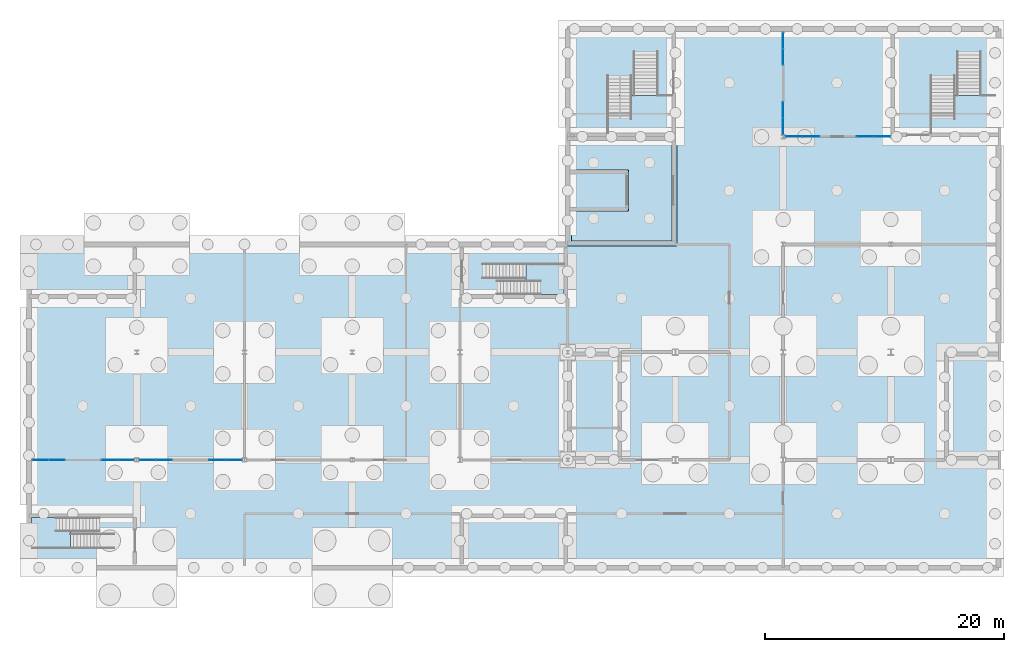
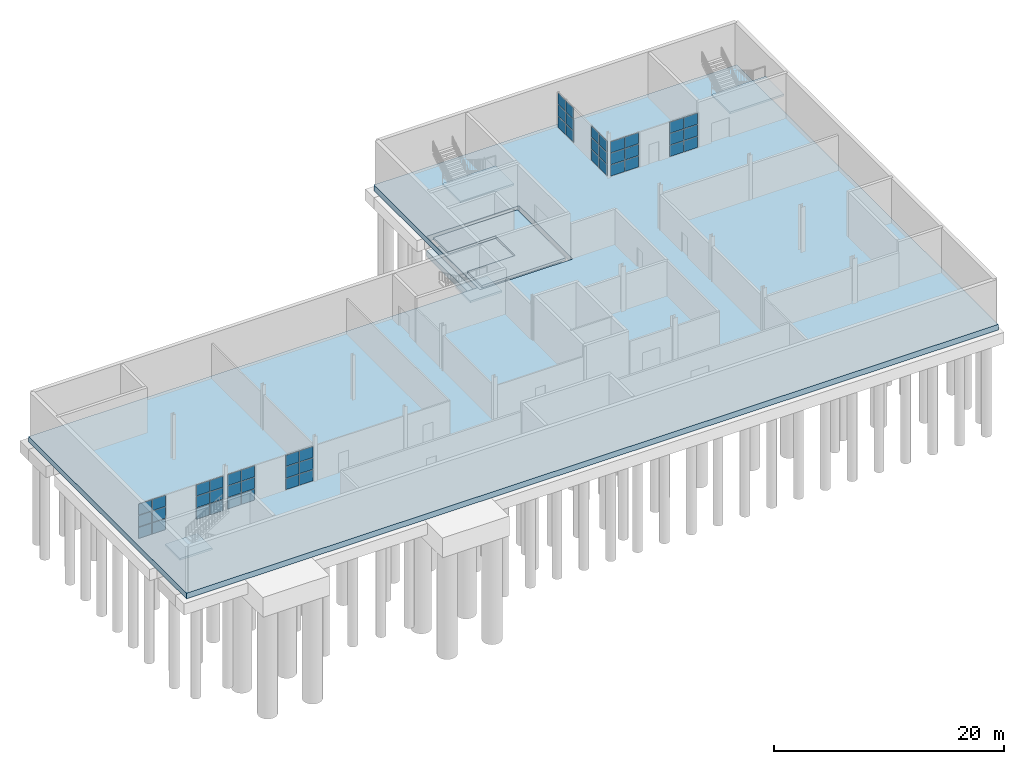
# One storey, part 10 of 17: 48 plates, 7 slabs, 12 elements without a shape of their own.
"""IFC4 building model written with IfcOpenShell, lengths in metres."""

from ifc_helpers import new_model, si_unit, direction, frame, origin, origin_2d, place, context, subcontext, project, spatial, polyline, rectangle, outline, extrude, material, layer, layer_set, type_object, element, aggregate, save


model = new_model("IFC4")

# Units and contexts
model_context = context("Model", 3, precision=1e-05, world=origin(), true_north=direction((0.0, 1.0)))
body_context = subcontext(model_context, "Body", "Model", "MODEL_VIEW")
ifc_project = project(units=[si_unit("LENGTHUNIT", "METRE"), si_unit("AREAUNIT", "SQUARE_METRE"), si_unit("VOLUMEUNIT", "CUBIC_METRE"), si_unit("PLANEANGLEUNIT", "RADIAN"), si_unit("MASSUNIT", "GRAM", prefix="KILO")], contexts=[model_context])

# Site, building, storey
site_placement = place(None, origin())
site = spatial("IfcSite", under=ifc_project, at=site_placement, CompositionType="ELEMENT")
building_placement = place(site_placement, origin())
building = spatial("IfcBuilding", under=site, at=building_placement, Name="Halyard Row Museum", CompositionType="ELEMENT")
storey_placement = place(building_placement, frame((0.0, 0.0, -9.60009765625)))
storey = spatial("IfcBuildingStorey", under=building, at=storey_placement, Name="B2", CompositionType="ELEMENT", Elevation=-9.60009765625)

# Slab
ifc_material_1 = material(Name="Concrete 40 MPa", Category="concrete")
ifc_layer_1 = layer(ifc_material_1, 0.25)
ifc_layer_set_1 = layer_set([ifc_layer_1], Name="Concrete 40 MPa")
slab_type_1 = type_object("IfcSlabType", Name="Core floor slab 250", PredefinedType="FLOOR", material=ifc_layer_set_1)
slab_1_placement = place(storey_placement, frame((0.0, 0.0, -0.25)))
element("IfcSlab", 1, at=slab_1_placement, inside=storey, type_object=slab_type_1, Name="Core floor K8 B2", PredefinedType="FLOOR", context=body_context, shape_type="SweptSolid", body=[
    extrude(outline(polyline([(80.699951171875, 53.699951171875), (72.300048828125, 53.699951171875), (72.300048828125, 51.199951171875), (77.10009765625, 51.199951171875), (77.10009765625, 47.800048828125), (72.300048828125, 47.800048828125), (72.300048828125, 45.300048828125), (80.699951171875, 45.300048828125), (80.699951171875, 53.699951171875)])), origin(), (0.0, 0.0, 1.0), 0.25),
])

# Curtain wall, plates
ifc_material_2 = material(Name="Fire-resisting laminated glazing", Category="glass")
ifc_layer_2 = layer(ifc_material_2, 0.159912109375)
ifc_layer_set_2 = layer_set([ifc_layer_2], Name="Fire-resisting laminated glazing")
curtain_wall_type = type_object("IfcCurtainWallType", Name="Curtain wall atrium screen 160 deep", PredefinedType="NOTDEFINED", material=ifc_layer_set_2)
curtain_wall_1_placement = place(storey_placement, origin())
curtain_wall_1 = element("IfcCurtainWall", 2, at=curtain_wall_1_placement, inside=storey, type_object=curtain_wall_type, Name="Curtain wall CW110", PredefinedType="NOTDEFINED")
ifc_material_3 = material(Name="Fire-resisting laminated glazing", Category="glass")
ifc_layer_3 = layer(ifc_material_3, 0.0400390625)
ifc_layer_set_3 = layer_set([ifc_layer_3], Name="Fire-resisting laminated glazing")
plate_type = type_object("IfcPlateType", Name="Curtain wall glazed panel CP5 40", PredefinedType="CURTAIN_PANEL", material=ifc_layer_set_3)
plate_1_placement = place(storey_placement, frame((27.9619140625, 27.0, 0.06005859375), z_axis=(0.0, 0.0, 1.0), x_axis=(1.0, 0.0, 0.0)))
plate_1 = element("IfcPlate", 3, at=plate_1_placement, type_object=plate_type, Name="CW110 panel 1.1", PredefinedType="CURTAIN_PANEL", context=body_context, shape_type="SweptSolid", body=[
    extrude(rectangle(XDim=1.3037109375, YDim=0.0400390625, at=origin_2d()), origin(), (0.0, 0.0, 1.0), 1.16259765625),
])
plate_2_placement = place(storey_placement, frame((27.9619140625, 27.0, 1.28271484375), z_axis=(0.0, 0.0, 1.0), x_axis=(1.0, 0.0, 0.0)))
plate_2 = element("IfcPlate", 4, at=plate_2_placement, type_object=plate_type, Name="CW110 panel 1.2", PredefinedType="CURTAIN_PANEL", context=body_context, shape_type="SweptSolid", body=[
    extrude(rectangle(XDim=1.3037109375, YDim=0.0400390625, at=origin_2d()), origin(), (0.0, 0.0, 1.0), 1.192626953125),
])
plate_3_placement = place(storey_placement, frame((27.9619140625, 27.0, 2.535400390625), z_axis=(0.0, 0.0, 1.0), x_axis=(1.0, 0.0, 0.0)))
plate_3 = element("IfcPlate", 5, at=plate_3_placement, type_object=plate_type, Name="CW110 panel 1.3", PredefinedType="CURTAIN_PANEL", context=body_context, shape_type="SweptSolid", body=[
    extrude(rectangle(XDim=1.3037109375, YDim=0.0400390625, at=origin_2d()), origin(), (0.0, 0.0, 1.0), 1.16259765625),
])
plate_4_placement = place(storey_placement, frame((29.32568359375, 27.0, 0.06005859375), z_axis=(0.0, 0.0, 1.0), x_axis=(1.0, 0.0, 0.0)))
plate_4 = element("IfcPlate", 6, at=plate_4_placement, type_object=plate_type, Name="CW110 panel 2.1", PredefinedType="CURTAIN_PANEL", context=body_context, shape_type="SweptSolid", body=[
    extrude(rectangle(XDim=1.3037109375, YDim=0.0400390625, at=origin_2d()), origin(), (0.0, 0.0, 1.0), 1.16259765625),
])
plate_5_placement = place(storey_placement, frame((29.32568359375, 27.0, 1.28271484375), z_axis=(0.0, 0.0, 1.0), x_axis=(1.0, 0.0, 0.0)))
plate_5 = element("IfcPlate", 7, at=plate_5_placement, type_object=plate_type, Name="CW110 panel 2.2", PredefinedType="CURTAIN_PANEL", context=body_context, shape_type="SweptSolid", body=[
    extrude(rectangle(XDim=1.3037109375, YDim=0.0400390625, at=origin_2d()), origin(), (0.0, 0.0, 1.0), 1.192626953125),
])
plate_6_placement = place(storey_placement, frame((29.32568359375, 27.0, 2.535400390625), z_axis=(0.0, 0.0, 1.0), x_axis=(1.0, 0.0, 0.0)))
plate_6 = element("IfcPlate", 8, at=plate_6_placement, type_object=plate_type, Name="CW110 panel 2.3", PredefinedType="CURTAIN_PANEL", context=body_context, shape_type="SweptSolid", body=[
    extrude(rectangle(XDim=1.3037109375, YDim=0.0400390625, at=origin_2d()), origin(), (0.0, 0.0, 1.0), 1.16259765625),
])
aggregate(curtain_wall_1, [plate_1, plate_2, plate_3, plate_4, plate_5, plate_6])

curtain_wall_2_placement = place(storey_placement, origin())
curtain_wall_2 = element("IfcCurtainWall", 9, at=curtain_wall_2_placement, inside=storey, type_object=curtain_wall_type, Name="Curtain wall CW111", PredefinedType="NOTDEFINED")
plate_7_placement = place(storey_placement, frame((33.749267578125, 27.0, 0.06005859375), z_axis=(0.0, 0.0, 1.0), x_axis=(1.0, 0.0, 0.0)))
plate_7 = element("IfcPlate", 10, at=plate_7_placement, type_object=plate_type, Name="CW111 panel 1.1", PredefinedType="CURTAIN_PANEL", context=body_context, shape_type="SweptSolid", body=[
    extrude(rectangle(XDim=1.3037109375, YDim=0.0400390625, at=origin_2d()), origin(), (0.0, 0.0, 1.0), 1.16259765625),
])
plate_8_placement = place(storey_placement, frame((33.749267578125, 27.0, 1.28271484375), z_axis=(0.0, 0.0, 1.0), x_axis=(1.0, 0.0, 0.0)))
plate_8 = element("IfcPlate", 11, at=plate_8_placement, type_object=plate_type, Name="CW111 panel 1.2", PredefinedType="CURTAIN_PANEL", context=body_context, shape_type="SweptSolid", body=[
    extrude(rectangle(XDim=1.3037109375, YDim=0.0400390625, at=origin_2d()), origin(), (0.0, 0.0, 1.0), 1.192626953125),
])
plate_9_placement = place(storey_placement, frame((33.749267578125, 27.0, 2.535400390625), z_axis=(0.0, 0.0, 1.0), x_axis=(1.0, 0.0, 0.0)))
plate_9 = element("IfcPlate", 12, at=plate_9_placement, type_object=plate_type, Name="CW111 panel 1.3", PredefinedType="CURTAIN_PANEL", context=body_context, shape_type="SweptSolid", body=[
    extrude(rectangle(XDim=1.3037109375, YDim=0.0400390625, at=origin_2d()), origin(), (0.0, 0.0, 1.0), 1.16259765625),
])
plate_10_placement = place(storey_placement, frame((35.113037109375, 27.0, 0.06005859375), z_axis=(0.0, 0.0, 1.0), x_axis=(1.0, 0.0, 0.0)))
plate_10 = element("IfcPlate", 13, at=plate_10_placement, type_object=plate_type, Name="CW111 panel 2.1", PredefinedType="CURTAIN_PANEL", context=body_context, shape_type="SweptSolid", body=[
    extrude(rectangle(XDim=1.3037109375, YDim=0.0400390625, at=origin_2d()), origin(), (0.0, 0.0, 1.0), 1.16259765625),
])
plate_11_placement = place(storey_placement, frame((35.113037109375, 27.0, 1.28271484375), z_axis=(0.0, 0.0, 1.0), x_axis=(1.0, 0.0, 0.0)))
plate_11 = element("IfcPlate", 14, at=plate_11_placement, type_object=plate_type, Name="CW111 panel 2.2", PredefinedType="CURTAIN_PANEL", context=body_context, shape_type="SweptSolid", body=[
    extrude(rectangle(XDim=1.3037109375, YDim=0.0400390625, at=origin_2d()), origin(), (0.0, 0.0, 1.0), 1.192626953125),
])
plate_12_placement = place(storey_placement, frame((35.113037109375, 27.0, 2.535400390625), z_axis=(0.0, 0.0, 1.0), x_axis=(1.0, 0.0, 0.0)))
plate_12 = element("IfcPlate", 15, at=plate_12_placement, type_object=plate_type, Name="CW111 panel 2.3", PredefinedType="CURTAIN_PANEL", context=body_context, shape_type="SweptSolid", body=[
    extrude(rectangle(XDim=1.3037109375, YDim=0.0400390625, at=origin_2d()), origin(), (0.0, 0.0, 1.0), 1.16259765625),
])
aggregate(curtain_wall_2, [plate_7, plate_8, plate_9, plate_10, plate_11, plate_12])

curtain_wall_3_placement = place(storey_placement, origin())
curtain_wall_3 = element("IfcCurtainWall", 16, at=curtain_wall_3_placement, inside=storey, type_object=curtain_wall_type, Name="Curtain wall CW112", PredefinedType="NOTDEFINED")
plate_13_placement = place(storey_placement, frame((36.896240234375, 27.0, 0.06005859375), z_axis=(0.0, 0.0, 1.0), x_axis=(1.0, 0.0, 0.0)))
plate_13 = element("IfcPlate", 17, at=plate_13_placement, type_object=plate_type, Name="CW112 panel 1.1", PredefinedType="CURTAIN_PANEL", context=body_context, shape_type="SweptSolid", body=[
    extrude(rectangle(XDim=1.322509765625, YDim=0.0400390625, at=origin_2d()), origin(), (0.0, 0.0, 1.0), 1.16259765625),
])
plate_14_placement = place(storey_placement, frame((36.896240234375, 27.0, 1.28271484375), z_axis=(0.0, 0.0, 1.0), x_axis=(1.0, 0.0, 0.0)))
plate_14 = element("IfcPlate", 18, at=plate_14_placement, type_object=plate_type, Name="CW112 panel 1.2", PredefinedType="CURTAIN_PANEL", context=body_context, shape_type="SweptSolid", body=[
    extrude(rectangle(XDim=1.322509765625, YDim=0.0400390625, at=origin_2d()), origin(), (0.0, 0.0, 1.0), 1.192626953125),
])
plate_15_placement = place(storey_placement, frame((36.896240234375, 27.0, 2.535400390625), z_axis=(0.0, 0.0, 1.0), x_axis=(1.0, 0.0, 0.0)))
plate_15 = element("IfcPlate", 19, at=plate_15_placement, type_object=plate_type, Name="CW112 panel 1.3", PredefinedType="CURTAIN_PANEL", context=body_context, shape_type="SweptSolid", body=[
    extrude(rectangle(XDim=1.322509765625, YDim=0.0400390625, at=origin_2d()), origin(), (0.0, 0.0, 1.0), 1.16259765625),
])
plate_16_placement = place(storey_placement, frame((38.27880859375, 27.0, 0.06005859375), z_axis=(0.0, 0.0, 1.0), x_axis=(1.0, 0.0, 0.0)))
plate_16 = element("IfcPlate", 20, at=plate_16_placement, type_object=plate_type, Name="CW112 panel 2.1", PredefinedType="CURTAIN_PANEL", context=body_context, shape_type="SweptSolid", body=[
    extrude(rectangle(XDim=1.322509765625, YDim=0.0400390625, at=origin_2d()), origin(), (0.0, 0.0, 1.0), 1.16259765625),
])
plate_17_placement = place(storey_placement, frame((38.27880859375, 27.0, 1.28271484375), z_axis=(0.0, 0.0, 1.0), x_axis=(1.0, 0.0, 0.0)))
plate_17 = element("IfcPlate", 21, at=plate_17_placement, type_object=plate_type, Name="CW112 panel 2.2", PredefinedType="CURTAIN_PANEL", context=body_context, shape_type="SweptSolid", body=[
    extrude(rectangle(XDim=1.322509765625, YDim=0.0400390625, at=origin_2d()), origin(), (0.0, 0.0, 1.0), 1.192626953125),
])
plate_18_placement = place(storey_placement, frame((38.27880859375, 27.0, 2.535400390625), z_axis=(0.0, 0.0, 1.0), x_axis=(1.0, 0.0, 0.0)))
plate_18 = element("IfcPlate", 22, at=plate_18_placement, type_object=plate_type, Name="CW112 panel 2.3", PredefinedType="CURTAIN_PANEL", context=body_context, shape_type="SweptSolid", body=[
    extrude(rectangle(XDim=1.322509765625, YDim=0.0400390625, at=origin_2d()), origin(), (0.0, 0.0, 1.0), 1.16259765625),
])
aggregate(curtain_wall_3, [plate_13, plate_14, plate_15, plate_16, plate_17, plate_18])

curtain_wall_4_placement = place(storey_placement, origin())
curtain_wall_4 = element("IfcCurtainWall", 23, at=curtain_wall_4_placement, inside=storey, type_object=curtain_wall_type, Name="Curtain wall CW113", PredefinedType="NOTDEFINED")
plate_19_placement = place(storey_placement, frame((42.72119140625, 27.0, 0.06005859375), z_axis=(0.0, 0.0, 1.0), x_axis=(1.0, 0.0, 0.0)))
plate_19 = element("IfcPlate", 24, at=plate_19_placement, type_object=plate_type, Name="CW113 panel 1.1", PredefinedType="CURTAIN_PANEL", context=body_context, shape_type="SweptSolid", body=[
    extrude(rectangle(XDim=1.322509765625, YDim=0.0400390625, at=origin_2d()), origin(), (0.0, 0.0, 1.0), 1.16259765625),
])
plate_20_placement = place(storey_placement, frame((42.72119140625, 27.0, 1.28271484375), z_axis=(0.0, 0.0, 1.0), x_axis=(1.0, 0.0, 0.0)))
plate_20 = element("IfcPlate", 25, at=plate_20_placement, type_object=plate_type, Name="CW113 panel 1.2", PredefinedType="CURTAIN_PANEL", context=body_context, shape_type="SweptSolid", body=[
    extrude(rectangle(XDim=1.322509765625, YDim=0.0400390625, at=origin_2d()), origin(), (0.0, 0.0, 1.0), 1.192626953125),
])
plate_21_placement = place(storey_placement, frame((42.72119140625, 27.0, 2.535400390625), z_axis=(0.0, 0.0, 1.0), x_axis=(1.0, 0.0, 0.0)))
plate_21 = element("IfcPlate", 26, at=plate_21_placement, type_object=plate_type, Name="CW113 panel 1.3", PredefinedType="CURTAIN_PANEL", context=body_context, shape_type="SweptSolid", body=[
    extrude(rectangle(XDim=1.322509765625, YDim=0.0400390625, at=origin_2d()), origin(), (0.0, 0.0, 1.0), 1.16259765625),
])
plate_22_placement = place(storey_placement, frame((44.103759765625, 27.0, 0.06005859375), z_axis=(0.0, 0.0, 1.0), x_axis=(1.0, 0.0, 0.0)))
plate_22 = element("IfcPlate", 27, at=plate_22_placement, type_object=plate_type, Name="CW113 panel 2.1", PredefinedType="CURTAIN_PANEL", context=body_context, shape_type="SweptSolid", body=[
    extrude(rectangle(XDim=1.322509765625, YDim=0.0400390625, at=origin_2d()), origin(), (0.0, 0.0, 1.0), 1.16259765625),
])
plate_23_placement = place(storey_placement, frame((44.103759765625, 27.0, 1.28271484375), z_axis=(0.0, 0.0, 1.0), x_axis=(1.0, 0.0, 0.0)))
plate_23 = element("IfcPlate", 28, at=plate_23_placement, type_object=plate_type, Name="CW113 panel 2.2", PredefinedType="CURTAIN_PANEL", context=body_context, shape_type="SweptSolid", body=[
    extrude(rectangle(XDim=1.322509765625, YDim=0.0400390625, at=origin_2d()), origin(), (0.0, 0.0, 1.0), 1.192626953125),
])
plate_24_placement = place(storey_placement, frame((44.103759765625, 27.0, 2.535400390625), z_axis=(0.0, 0.0, 1.0), x_axis=(1.0, 0.0, 0.0)))
plate_24 = element("IfcPlate", 29, at=plate_24_placement, type_object=plate_type, Name="CW113 panel 2.3", PredefinedType="CURTAIN_PANEL", context=body_context, shape_type="SweptSolid", body=[
    extrude(rectangle(XDim=1.322509765625, YDim=0.0400390625, at=origin_2d()), origin(), (0.0, 0.0, 1.0), 1.16259765625),
])
aggregate(curtain_wall_4, [plate_19, plate_20, plate_21, plate_22, plate_23, plate_24])

curtain_wall_5_placement = place(storey_placement, origin())
curtain_wall_5 = element("IfcCurtainWall", 30, at=curtain_wall_5_placement, inside=storey, type_object=curtain_wall_type, Name="Curtain wall CW114", PredefinedType="NOTDEFINED")
plate_25_placement = place(storey_placement, frame((90.0, 54.876953125, 0.06005859375), z_axis=(0.0, 0.0, 1.0), x_axis=(0.0, 1.0, 0.0)))
plate_25 = element("IfcPlate", 31, at=plate_25_placement, type_object=plate_type, Name="CW114 panel 1.1", PredefinedType="CURTAIN_PANEL", context=body_context, shape_type="SweptSolid", body=[
    extrude(rectangle(XDim=1.306640625, YDim=0.0400390625, at=origin_2d()), origin(), (0.0, 0.0, 1.0), 1.16259765625),
])
plate_26_placement = place(storey_placement, frame((90.0, 54.876953125, 1.28271484375), z_axis=(0.0, 0.0, 1.0), x_axis=(0.0, 1.0, 0.0)))
plate_26 = element("IfcPlate", 32, at=plate_26_placement, type_object=plate_type, Name="CW114 panel 1.2", PredefinedType="CURTAIN_PANEL", context=body_context, shape_type="SweptSolid", body=[
    extrude(rectangle(XDim=1.306640625, YDim=0.0400390625, at=origin_2d()), origin(), (0.0, 0.0, 1.0), 1.192626953125),
])
plate_27_placement = place(storey_placement, frame((90.0, 54.876953125, 2.535400390625), z_axis=(0.0, 0.0, 1.0), x_axis=(0.0, 1.0, 0.0)))
plate_27 = element("IfcPlate", 33, at=plate_27_placement, type_object=plate_type, Name="CW114 panel 1.3", PredefinedType="CURTAIN_PANEL", context=body_context, shape_type="SweptSolid", body=[
    extrude(rectangle(XDim=1.306640625, YDim=0.0400390625, at=origin_2d()), origin(), (0.0, 0.0, 1.0), 1.16259765625),
])
plate_28_placement = place(storey_placement, frame((90.0, 56.243408203125, 0.06005859375), z_axis=(0.0, 0.0, 1.0), x_axis=(0.0, 1.0, 0.0)))
plate_28 = element("IfcPlate", 34, at=plate_28_placement, type_object=plate_type, Name="CW114 panel 2.1", PredefinedType="CURTAIN_PANEL", context=body_context, shape_type="SweptSolid", body=[
    extrude(rectangle(XDim=1.306640625, YDim=0.0400390625, at=origin_2d()), origin(), (0.0, 0.0, 1.0), 1.16259765625),
])
plate_29_placement = place(storey_placement, frame((90.0, 56.243408203125, 1.28271484375), z_axis=(0.0, 0.0, 1.0), x_axis=(0.0, 1.0, 0.0)))
plate_29 = element("IfcPlate", 35, at=plate_29_placement, type_object=plate_type, Name="CW114 panel 2.2", PredefinedType="CURTAIN_PANEL", context=body_context, shape_type="SweptSolid", body=[
    extrude(rectangle(XDim=1.306640625, YDim=0.0400390625, at=origin_2d()), origin(), (0.0, 0.0, 1.0), 1.192626953125),
])
plate_30_placement = place(storey_placement, frame((90.0, 56.243408203125, 2.535400390625), z_axis=(0.0, 0.0, 1.0), x_axis=(0.0, 1.0, 0.0)))
plate_30 = element("IfcPlate", 36, at=plate_30_placement, type_object=plate_type, Name="CW114 panel 2.3", PredefinedType="CURTAIN_PANEL", context=body_context, shape_type="SweptSolid", body=[
    extrude(rectangle(XDim=1.306640625, YDim=0.0400390625, at=origin_2d()), origin(), (0.0, 0.0, 1.0), 1.16259765625),
])
aggregate(curtain_wall_5, [plate_25, plate_26, plate_27, plate_28, plate_29, plate_30])

curtain_wall_6_placement = place(storey_placement, origin())
curtain_wall_6 = element("IfcCurtainWall", 37, at=curtain_wall_6_placement, inside=storey, type_object=curtain_wall_type, Name="Curtain wall CW115", PredefinedType="NOTDEFINED")
plate_31_placement = place(storey_placement, frame((90.0, 60.670166015625, 0.06005859375), z_axis=(0.0, 0.0, 1.0), x_axis=(0.0, 1.0, 0.0)))
plate_31 = element("IfcPlate", 38, at=plate_31_placement, type_object=plate_type, Name="CW115 panel 1.1", PredefinedType="CURTAIN_PANEL", context=body_context, shape_type="SweptSolid", body=[
    extrude(rectangle(XDim=1.306640625, YDim=0.0400390625, at=origin_2d()), origin(), (0.0, 0.0, 1.0), 1.16259765625),
])
plate_32_placement = place(storey_placement, frame((90.0, 60.670166015625, 1.28271484375), z_axis=(0.0, 0.0, 1.0), x_axis=(0.0, 1.0, 0.0)))
plate_32 = element("IfcPlate", 39, at=plate_32_placement, type_object=plate_type, Name="CW115 panel 1.2", PredefinedType="CURTAIN_PANEL", context=body_context, shape_type="SweptSolid", body=[
    extrude(rectangle(XDim=1.306640625, YDim=0.0400390625, at=origin_2d()), origin(), (0.0, 0.0, 1.0), 1.192626953125),
])
plate_33_placement = place(storey_placement, frame((90.0, 60.670166015625, 2.535400390625), z_axis=(0.0, 0.0, 1.0), x_axis=(0.0, 1.0, 0.0)))
plate_33 = element("IfcPlate", 40, at=plate_33_placement, type_object=plate_type, Name="CW115 panel 1.3", PredefinedType="CURTAIN_PANEL", context=body_context, shape_type="SweptSolid", body=[
    extrude(rectangle(XDim=1.306640625, YDim=0.0400390625, at=origin_2d()), origin(), (0.0, 0.0, 1.0), 1.16259765625),
])
plate_34_placement = place(storey_placement, frame((90.0, 62.03662109375, 0.06005859375), z_axis=(0.0, 0.0, 1.0), x_axis=(0.0, 1.0, 0.0)))
plate_34 = element("IfcPlate", 41, at=plate_34_placement, type_object=plate_type, Name="CW115 panel 2.1", PredefinedType="CURTAIN_PANEL", context=body_context, shape_type="SweptSolid", body=[
    extrude(rectangle(XDim=1.306640625, YDim=0.0400390625, at=origin_2d()), origin(), (0.0, 0.0, 1.0), 1.16259765625),
])
plate_35_placement = place(storey_placement, frame((90.0, 62.03662109375, 1.28271484375), z_axis=(0.0, 0.0, 1.0), x_axis=(0.0, 1.0, 0.0)))
plate_35 = element("IfcPlate", 42, at=plate_35_placement, type_object=plate_type, Name="CW115 panel 2.2", PredefinedType="CURTAIN_PANEL", context=body_context, shape_type="SweptSolid", body=[
    extrude(rectangle(XDim=1.306640625, YDim=0.0400390625, at=origin_2d()), origin(), (0.0, 0.0, 1.0), 1.192626953125),
])
plate_36_placement = place(storey_placement, frame((90.0, 62.03662109375, 2.535400390625), z_axis=(0.0, 0.0, 1.0), x_axis=(0.0, 1.0, 0.0)))
plate_36 = element("IfcPlate", 43, at=plate_36_placement, type_object=plate_type, Name="CW115 panel 2.3", PredefinedType="CURTAIN_PANEL", context=body_context, shape_type="SweptSolid", body=[
    extrude(rectangle(XDim=1.306640625, YDim=0.0400390625, at=origin_2d()), origin(), (0.0, 0.0, 1.0), 1.16259765625),
])
aggregate(curtain_wall_6, [plate_31, plate_32, plate_33, plate_34, plate_35, plate_36])

curtain_wall_7_placement = place(storey_placement, origin())
curtain_wall_7 = element("IfcCurtainWall", 44, at=curtain_wall_7_placement, inside=storey, type_object=curtain_wall_type, Name="Curtain wall CW116", PredefinedType="NOTDEFINED")
plate_37_placement = place(storey_placement, frame((90.901123046875, 54.0, 0.06005859375), z_axis=(0.0, 0.0, 1.0), x_axis=(1.0, 0.0, 0.0)))
plate_37 = element("IfcPlate", 45, at=plate_37_placement, type_object=plate_type, Name="CW116 panel 1.1", PredefinedType="CURTAIN_PANEL", context=body_context, shape_type="SweptSolid", body=[
    extrude(rectangle(XDim=1.37109375, YDim=0.0400390625, at=origin_2d()), origin(), (0.0, 0.0, 1.0), 1.16259765625),
])
plate_38_placement = place(storey_placement, frame((90.901123046875, 54.0, 1.28271484375), z_axis=(0.0, 0.0, 1.0), x_axis=(1.0, 0.0, 0.0)))
plate_38 = element("IfcPlate", 46, at=plate_38_placement, type_object=plate_type, Name="CW116 panel 1.2", PredefinedType="CURTAIN_PANEL", context=body_context, shape_type="SweptSolid", body=[
    extrude(rectangle(XDim=1.37109375, YDim=0.0400390625, at=origin_2d()), origin(), (0.0, 0.0, 1.0), 1.192626953125),
])
plate_39_placement = place(storey_placement, frame((90.901123046875, 54.0, 2.535400390625), z_axis=(0.0, 0.0, 1.0), x_axis=(1.0, 0.0, 0.0)))
plate_39 = element("IfcPlate", 47, at=plate_39_placement, type_object=plate_type, Name="CW116 panel 1.3", PredefinedType="CURTAIN_PANEL", context=body_context, shape_type="SweptSolid", body=[
    extrude(rectangle(XDim=1.37109375, YDim=0.0400390625, at=origin_2d()), origin(), (0.0, 0.0, 1.0), 1.16259765625),
])
plate_40_placement = place(storey_placement, frame((92.332275390625, 54.0, 0.06005859375), z_axis=(0.0, 0.0, 1.0), x_axis=(1.0, 0.0, 0.0)))
plate_40 = element("IfcPlate", 48, at=plate_40_placement, type_object=plate_type, Name="CW116 panel 2.1", PredefinedType="CURTAIN_PANEL", context=body_context, shape_type="SweptSolid", body=[
    extrude(rectangle(XDim=1.37109375, YDim=0.0400390625, at=origin_2d()), origin(), (0.0, 0.0, 1.0), 1.16259765625),
])
plate_41_placement = place(storey_placement, frame((92.332275390625, 54.0, 1.28271484375), z_axis=(0.0, 0.0, 1.0), x_axis=(1.0, 0.0, 0.0)))
plate_41 = element("IfcPlate", 49, at=plate_41_placement, type_object=plate_type, Name="CW116 panel 2.2", PredefinedType="CURTAIN_PANEL", context=body_context, shape_type="SweptSolid", body=[
    extrude(rectangle(XDim=1.37109375, YDim=0.0400390625, at=origin_2d()), origin(), (0.0, 0.0, 1.0), 1.192626953125),
])
plate_42_placement = place(storey_placement, frame((92.332275390625, 54.0, 2.535400390625), z_axis=(0.0, 0.0, 1.0), x_axis=(1.0, 0.0, 0.0)))
plate_42 = element("IfcPlate", 50, at=plate_42_placement, type_object=plate_type, Name="CW116 panel 2.3", PredefinedType="CURTAIN_PANEL", context=body_context, shape_type="SweptSolid", body=[
    extrude(rectangle(XDim=1.37109375, YDim=0.0400390625, at=origin_2d()), origin(), (0.0, 0.0, 1.0), 1.16259765625),
])
aggregate(curtain_wall_7, [plate_37, plate_38, plate_39, plate_40, plate_41, plate_42])

curtain_wall_8_placement = place(storey_placement, origin())
curtain_wall_8 = element("IfcCurtainWall", 51, at=curtain_wall_8_placement, inside=storey, type_object=curtain_wall_type, Name="Curtain wall CW117", PredefinedType="NOTDEFINED")
plate_43_placement = place(storey_placement, frame((96.8232421875, 54.0, 0.06005859375), z_axis=(0.0, 0.0, 1.0), x_axis=(1.0, 0.0, 0.0)))
plate_43 = element("IfcPlate", 52, at=plate_43_placement, type_object=plate_type, Name="CW117 panel 1.1", PredefinedType="CURTAIN_PANEL", context=body_context, shape_type="SweptSolid", body=[
    extrude(rectangle(XDim=1.37109375, YDim=0.0400390625, at=origin_2d()), origin(), (0.0, 0.0, 1.0), 1.16259765625),
])
plate_44_placement = place(storey_placement, frame((96.8232421875, 54.0, 1.28271484375), z_axis=(0.0, 0.0, 1.0), x_axis=(1.0, 0.0, 0.0)))
plate_44 = element("IfcPlate", 53, at=plate_44_placement, type_object=plate_type, Name="CW117 panel 1.2", PredefinedType="CURTAIN_PANEL", context=body_context, shape_type="SweptSolid", body=[
    extrude(rectangle(XDim=1.37109375, YDim=0.0400390625, at=origin_2d()), origin(), (0.0, 0.0, 1.0), 1.192626953125),
])
plate_45_placement = place(storey_placement, frame((96.8232421875, 54.0, 2.535400390625), z_axis=(0.0, 0.0, 1.0), x_axis=(1.0, 0.0, 0.0)))
plate_45 = element("IfcPlate", 54, at=plate_45_placement, type_object=plate_type, Name="CW117 panel 1.3", PredefinedType="CURTAIN_PANEL", context=body_context, shape_type="SweptSolid", body=[
    extrude(rectangle(XDim=1.37109375, YDim=0.0400390625, at=origin_2d()), origin(), (0.0, 0.0, 1.0), 1.16259765625),
])
plate_46_placement = place(storey_placement, frame((98.25439453125, 54.0, 0.06005859375), z_axis=(0.0, 0.0, 1.0), x_axis=(1.0, 0.0, 0.0)))
plate_46 = element("IfcPlate", 55, at=plate_46_placement, type_object=plate_type, Name="CW117 panel 2.1", PredefinedType="CURTAIN_PANEL", context=body_context, shape_type="SweptSolid", body=[
    extrude(rectangle(XDim=1.37109375, YDim=0.0400390625, at=origin_2d()), origin(), (0.0, 0.0, 1.0), 1.16259765625),
])
plate_47_placement = place(storey_placement, frame((98.25439453125, 54.0, 1.28271484375), z_axis=(0.0, 0.0, 1.0), x_axis=(1.0, 0.0, 0.0)))
plate_47 = element("IfcPlate", 56, at=plate_47_placement, type_object=plate_type, Name="CW117 panel 2.2", PredefinedType="CURTAIN_PANEL", context=body_context, shape_type="SweptSolid", body=[
    extrude(rectangle(XDim=1.37109375, YDim=0.0400390625, at=origin_2d()), origin(), (0.0, 0.0, 1.0), 1.192626953125),
])
plate_48_placement = place(storey_placement, frame((98.25439453125, 54.0, 2.535400390625), z_axis=(0.0, 0.0, 1.0), x_axis=(1.0, 0.0, 0.0)))
plate_48 = element("IfcPlate", 57, at=plate_48_placement, type_object=plate_type, Name="CW117 panel 2.3", PredefinedType="CURTAIN_PANEL", context=body_context, shape_type="SweptSolid", body=[
    extrude(rectangle(XDim=1.37109375, YDim=0.0400390625, at=origin_2d()), origin(), (0.0, 0.0, 1.0), 1.16259765625),
])
aggregate(curtain_wall_8, [plate_43, plate_44, plate_45, plate_46, plate_47, plate_48])

# Stair, slab
ifc_material_4 = material(Name="Concrete 40 MPa", Category="concrete")
stair_type_1 = type_object("IfcStairType", Name="Exit stair two flights 1200", PredefinedType="HALF_TURN_STAIR", material=ifc_material_4)
stair_1_placement = place(storey_placement, origin())
stair_1 = element("IfcStair", 58, at=stair_1_placement, inside=storey, type_object=stair_type_1, Name="Exit stair K1B B2", PredefinedType="HALF_TURN_STAIR")
ifc_material_5 = material(Name="Concrete 40 MPa", Category="concrete")
ifc_layer_4 = layer(ifc_material_5, 0.199951171875)
ifc_layer_set_4 = layer_set([ifc_layer_4], Name="Concrete 40 MPa")
slab_type_2 = type_object("IfcSlabType", Name="Exit stair landing 200", PredefinedType="LANDING", material=ifc_layer_set_4)
slab_2_placement = place(storey_placement, frame((0.0, 0.0, 2.2001953125)))
slab_2 = element("IfcSlab", 59, at=slab_2_placement, type_object=slab_type_2, Name="STK1B-B2 landing 1", PredefinedType="LANDING", context=body_context, shape_type="SweptSolid", body=[
    extrude(outline(polyline([(68.5400390625, 43.35009765625), (68.5400390625, 40.800048828125), (71.699951171875, 40.800048828125), (71.699951171875, 43.35009765625), (68.5400390625, 43.35009765625)])), origin(), (0.0, 0.0, 1.0), 0.199951171875),
])
aggregate(stair_1, [slab_2])

stair_2_placement = place(storey_placement, origin())
stair_2 = element("IfcStair", 60, at=stair_2_placement, inside=storey, type_object=stair_type_1, Name="Exit stair K1D B2", PredefinedType="HALF_TURN_STAIR")
slab_3_placement = place(storey_placement, frame((0.0, 0.0, 2.2001953125)))
slab_3 = element("IfcSlab", 61, at=slab_3_placement, type_object=slab_type_2, Name="STK1D-B2 landing 1", PredefinedType="LANDING", context=body_context, shape_type="SweptSolid", body=[
    extrude(outline(polyline([(27.199951171875, 19.64990234375), (27.199951171875, 22.199951171875), (30.4599609375, 22.199951171875), (30.4599609375, 19.64990234375), (27.199951171875, 19.64990234375)])), origin(), (0.0, 0.0, 1.0), 0.199951171875),
])
aggregate(stair_2, [slab_3])

ifc_material_6 = material(Name="Concrete 40 MPa", Category="concrete")
stair_type_2 = type_object("IfcStairType", Name="Exit stair two flights 2000", PredefinedType="HALF_TURN_STAIR", material=ifc_material_6)
stair_3_placement = place(storey_placement, origin())
stair_3 = element("IfcStair", 62, at=stair_3_placement, inside=storey, type_object=stair_type_2, Name="Exit stair K5A B2", PredefinedType="HALF_TURN_STAIR")
slab_4_placement = place(storey_placement, frame((0.0, 0.0, 2.2001953125)))
slab_4 = element("IfcSlab", 63, at=slab_4_placement, type_object=slab_type_2, Name="STK5A-B2 landing 1", PredefinedType="LANDING", context=body_context, shape_type="SweptSolid", body=[
    extrude(outline(polyline([(80.699951171875, 57.4599609375), (75.35009765625, 57.4599609375), (75.35009765625, 54.300048828125), (80.699951171875, 54.300048828125), (80.699951171875, 57.4599609375)])), origin(), (0.0, 0.0, 1.0), 0.199951171875),
])
aggregate(stair_3, [slab_4])

stair_4_placement = place(storey_placement, origin())
stair_4 = element("IfcStair", 64, at=stair_4_placement, inside=storey, type_object=stair_type_2, Name="Exit stair K5B B2", PredefinedType="HALF_TURN_STAIR")
slab_5_placement = place(storey_placement, frame((0.0, 0.0, 2.2001953125)))
slab_5 = element("IfcSlab", 65, at=slab_5_placement, type_object=slab_type_2, Name="STK5B-B2 landing 1", PredefinedType="LANDING", context=body_context, shape_type="SweptSolid", body=[
    extrude(outline(polyline([(102.35009765625, 54.300048828125), (102.35009765625, 57.4599609375), (107.800048828125, 57.4599609375), (107.800048828125, 54.300048828125), (102.35009765625, 54.300048828125)])), origin(), (0.0, 0.0, 1.0), 0.199951171875),
])
aggregate(stair_4, [slab_5])

# Slabs
ifc_material_7 = material(Name="Concrete 40 MPa", Category="concrete")
ifc_layer_5 = layer(ifc_material_7, 0.60009765625)
ifc_layer_set_5 = layer_set([ifc_layer_5], Name="Concrete 40 MPa")
slab_type_3 = type_object("IfcSlabType", Name="Lift pit slab", PredefinedType="BASESLAB", material=ifc_layer_set_5)
slab_6_placement = place(storey_placement, frame((0.0, 0.0, -2.099853515625)))
element("IfcSlab", 66, at=slab_6_placement, inside=storey, type_object=slab_type_3, Name="Lift pit slab 1", PredefinedType="BASESLAB", context=body_context, shape_type="SweptSolid", body=[
    extrude(outline(polyline([(81.14990234375, 44.85009765625), (81.14990234375, 54.14990234375), (71.85009765625, 54.14990234375), (71.85009765625, 44.85009765625), (81.14990234375, 44.85009765625)])), origin(), (0.0, 0.0, 1.0), 0.599853515625),
])
ifc_material_8 = material(Name="Concrete 40 MPa", Category="concrete")
ifc_layer_6 = layer(ifc_material_8, 0.60009765625)
ifc_layer_set_6 = layer_set([ifc_layer_6], Name="Concrete 40 MPa")
slab_type_4 = type_object("IfcSlabType", Name="Raft slab", PredefinedType="BASESLAB", material=ifc_layer_set_6)
slab_7_placement = place(storey_placement, frame((0.0, 0.0, -0.599853515625)))
element("IfcSlab", 67, at=slab_7_placement, inside=storey, type_object=slab_type_4, Name="Raft slab B2-01", PredefinedType="BASESLAB", context=body_context, shape_type="SweptSolid", body=[
    extrude(outline(polyline([(26.800048828125, 45.199951171875), (26.800048828125, 17.800048828125), (108.199951171875, 17.800048828125), (108.199951171875, 63.199951171875), (71.800048828125, 63.199951171875), (71.800048828125, 45.199951171875), (26.800048828125, 45.199951171875)]), holes=[polyline([(81.14990234375, 54.14990234375), (81.14990234375, 44.85009765625), (71.85009765625, 44.85009765625), (71.85009765625, 54.14990234375), (81.14990234375, 54.14990234375)])]), origin(), (0.0, 0.0, 1.0), 0.599853515625),
])

save(model, "model.ifc")
